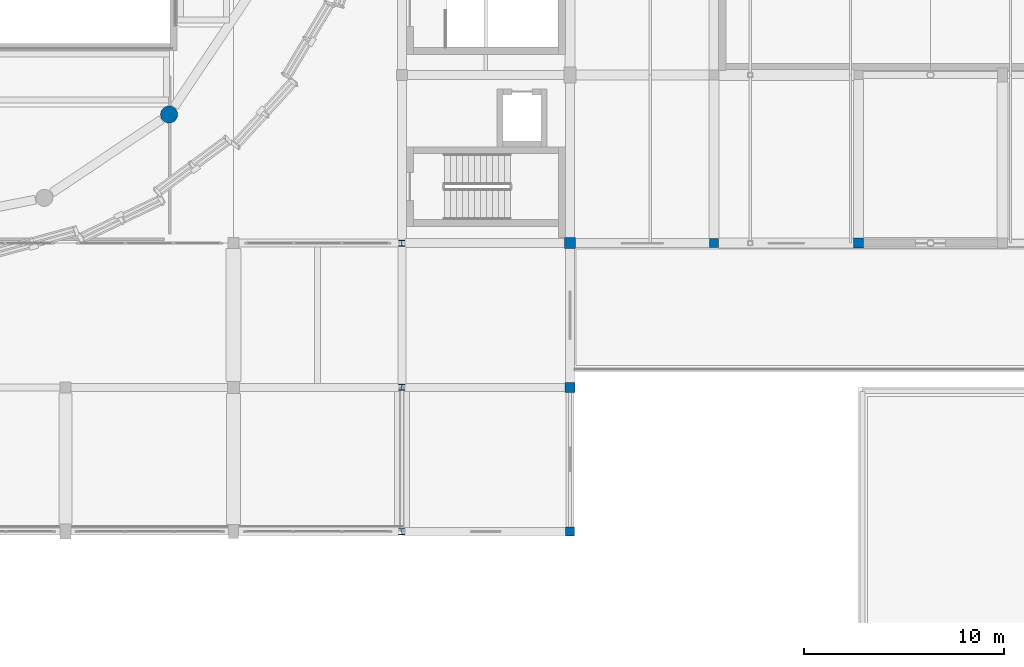
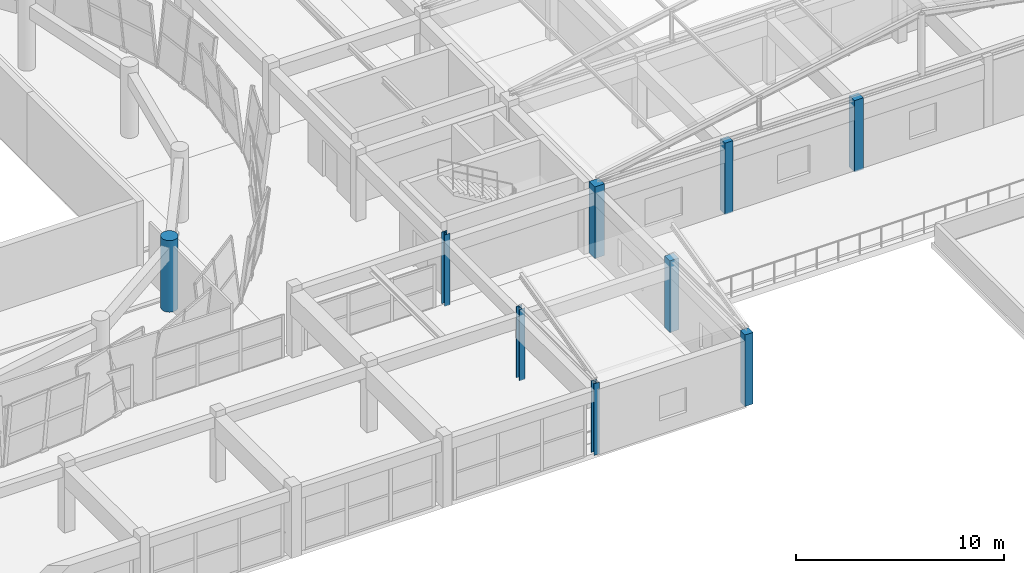
# One storey, part 4 of 74: 9 columns.
"""IFC4 building model written with IfcOpenShell, lengths in metres."""

from ifc_helpers import new_model, si_unit, direction, frame, origin, origin_2d, place, context, subcontext, project, spatial, rectangle, circle, i_section, extrude, material, material_profile, profile_set, type_object, element, save


model = new_model("IFC4")

# Units and contexts
model_context = context("Model", 3, precision=1e-05, world=origin(), true_north=direction((0.0, 1.0)))
body_context = subcontext(model_context, "Body", "Model", "MODEL_VIEW")
ifc_project = project(units=[si_unit("LENGTHUNIT", "METRE"), si_unit("AREAUNIT", "SQUARE_METRE"), si_unit("VOLUMEUNIT", "CUBIC_METRE"), si_unit("PLANEANGLEUNIT", "RADIAN"), si_unit("MASSUNIT", "GRAM", prefix="KILO")], contexts=[model_context])

# Site, building, storey
site_placement = place(None, origin())
site = spatial("IfcSite", under=ifc_project, at=site_placement, CompositionType="ELEMENT")
building_placement = place(site_placement, origin())
building = spatial("IfcBuilding", under=site, at=building_placement, Name="Korsvaeld Concert Hall", CompositionType="ELEMENT")
storey_placement = place(building_placement, frame((0.0, 0.0, 9.0)))
storey = spatial("IfcBuildingStorey", under=building, at=storey_placement, Name="L02", CompositionType="ELEMENT", Elevation=9.0)

# Columns
ifc_material_1 = material(Name="Concrete C40/50", Category="concrete")
ifc_material_profile_1 = material_profile(ifc_material_1, circle(Radius=0.425048828125, at=origin_2d()), Name="RC D850")
ifc_profile_set_1 = profile_set([ifc_material_profile_1], Name="Concrete C40/50")
column_type_1 = type_object("IfcColumnType", Name="COL-DRUM-D850", PredefinedType="COLUMN", material=ifc_profile_set_1)
column_1_placement = place(storey_placement, frame((97.576416015625, 49.62353515625, 0.0), z_axis=(0.0, 0.0, 1.0), x_axis=(1.0, 0.0, 0.0)))
element("IfcColumn", 1, at=column_1_placement, inside=storey, type_object=column_type_1, Name="Drum column D15 L02", PredefinedType="COLUMN", context=body_context, shape_type="SweptSolid", body=[
    extrude(circle(Radius=0.425048828125, at=origin_2d()), origin(), (0.0, 0.0, 1.0), 4.199951171875),
])
ifc_material_profile_2 = material_profile(ifc_material_1, rectangle(XDim=0.449951171875, YDim=0.449951171875, at=origin_2d()), Name="RC 450x450")
ifc_profile_set_2 = profile_set([ifc_material_profile_2], Name="Concrete C40/50")
column_type_2 = type_object("IfcColumnType", Name="COL-RC-450x450", PredefinedType="COLUMN", material=ifc_profile_set_2)
for number, where, z_axis, x_axis, name in (
    (2, (117.60009765625, 28.800048828125, 0.0), (0.0, 0.0, 1.0), (1.0, 0.0, 0.0), "Column 16/E L02"),
    (3, (124.800048828125, 43.199951171875, 0.0), (0.0, 0.0, 1.0), (1.0, 0.0, 0.0), "Column 17/G L02"),
):
    element("IfcColumn", number, at=place(storey_placement, frame(where, z_axis=z_axis, x_axis=x_axis)), inside=storey, type_object=column_type_2, Name=name, PredefinedType="COLUMN", context=body_context, shape_type="SweptSolid", body=[
        extrude(rectangle(XDim=0.449951171875, YDim=0.449951171875, at=origin_2d()), origin(), (0.0, 0.0, 1.0), 4.199951171875),
    ])
ifc_material_profile_3 = material_profile(ifc_material_1, rectangle(XDim=0.5, YDim=0.5, at=origin_2d()), Name="RC 500x500")
ifc_profile_set_3 = profile_set([ifc_material_profile_3], Name="Concrete C40/50")
column_type_3 = type_object("IfcColumnType", Name="COL-RC-500x500", PredefinedType="COLUMN", material=ifc_profile_set_3)
for number, where, z_axis, x_axis, name in (
    (4, (117.60009765625, 36.0, 0.0), (0.0, 0.0, 1.0), (1.0, 0.0, 0.0), "Column 16/F L02"),
    (5, (132.0, 43.199951171875, 0.0), (0.0, 0.0, 1.0), (1.0, 0.0, 0.0), "Column 18/G L02"),
):
    element("IfcColumn", number, at=place(storey_placement, frame(where, z_axis=z_axis, x_axis=x_axis)), inside=storey, type_object=column_type_3, Name=name, PredefinedType="COLUMN", context=body_context, shape_type="SweptSolid", body=[
        extrude(rectangle(XDim=0.5, YDim=0.5, at=origin_2d()), origin(), (0.0, 0.0, 1.0), 4.199951171875),
    ])
ifc_material_profile_4 = material_profile(ifc_material_1, rectangle(XDim=0.550048828125, YDim=0.550048828125, at=origin_2d()), Name="RC 550x550")
ifc_profile_set_4 = profile_set([ifc_material_profile_4], Name="Concrete C40/50")
column_type_4 = type_object("IfcColumnType", Name="COL-RC-550x550", PredefinedType="COLUMN", material=ifc_profile_set_4)
column_2_placement = place(storey_placement, frame((117.60009765625, 43.199951171875, 0.0), z_axis=(0.0, 0.0, 1.0), x_axis=(1.0, 0.0, 0.0)))
element("IfcColumn", 6, at=column_2_placement, inside=storey, type_object=column_type_4, Name="Column 16/G L02", PredefinedType="COLUMN", context=body_context, shape_type="SweptSolid", body=[
    extrude(rectangle(XDim=0.550048828125, YDim=0.550048828125, at=origin_2d()), origin(), (0.0, 0.0, 1.0), 4.199951171875),
])
ifc_material_2 = material(Name="Steel S355J2", Category="steel")
ifc_material_profile_5 = material_profile(ifc_material_2, i_section(OverallWidth=0.300048828125, OverallDepth=0.300048828125, WebThickness=0.010986328125, FlangeThickness=0.01904296875, FilletRadius=0.027099609375, at=origin_2d()), Name="HEB 300")
ifc_profile_set_5 = profile_set([ifc_material_profile_5], Name="Steel S355J2")
column_type_5 = type_object("IfcColumnType", Name="COL-STL-HEB300", PredefinedType="COLUMN", material=ifc_profile_set_5)
for number, where, z_axis, x_axis, name in (
    (7, (109.199951171875, 28.800048828125, 0.0), (0.0, 0.0, 1.0), (1.0, 0.0, 0.0), "Column 15/E L02"),
    (8, (109.199951171875, 36.0, 0.0), (0.0, 0.0, 1.0), (1.0, 0.0, 0.0), "Column 15/F L02"),
    (9, (109.199951171875, 43.199951171875, 0.0), (0.0, 0.0, 1.0), (1.0, 0.0, 0.0), "Column 15/G L02"),
):
    element("IfcColumn", number, at=place(storey_placement, frame(where, z_axis=z_axis, x_axis=x_axis)), inside=storey, type_object=column_type_5, Name=name, PredefinedType="COLUMN", context=body_context, shape_type="SweptSolid", body=[
        extrude(i_section(OverallWidth=0.300048828125, OverallDepth=0.300048828125, WebThickness=0.010986328125, FlangeThickness=0.01904296875, FilletRadius=0.027099609375, at=origin_2d()), origin(), (0.0, 0.0, 1.0), 4.199951171875),
    ])

save(model, "model.ifc")
